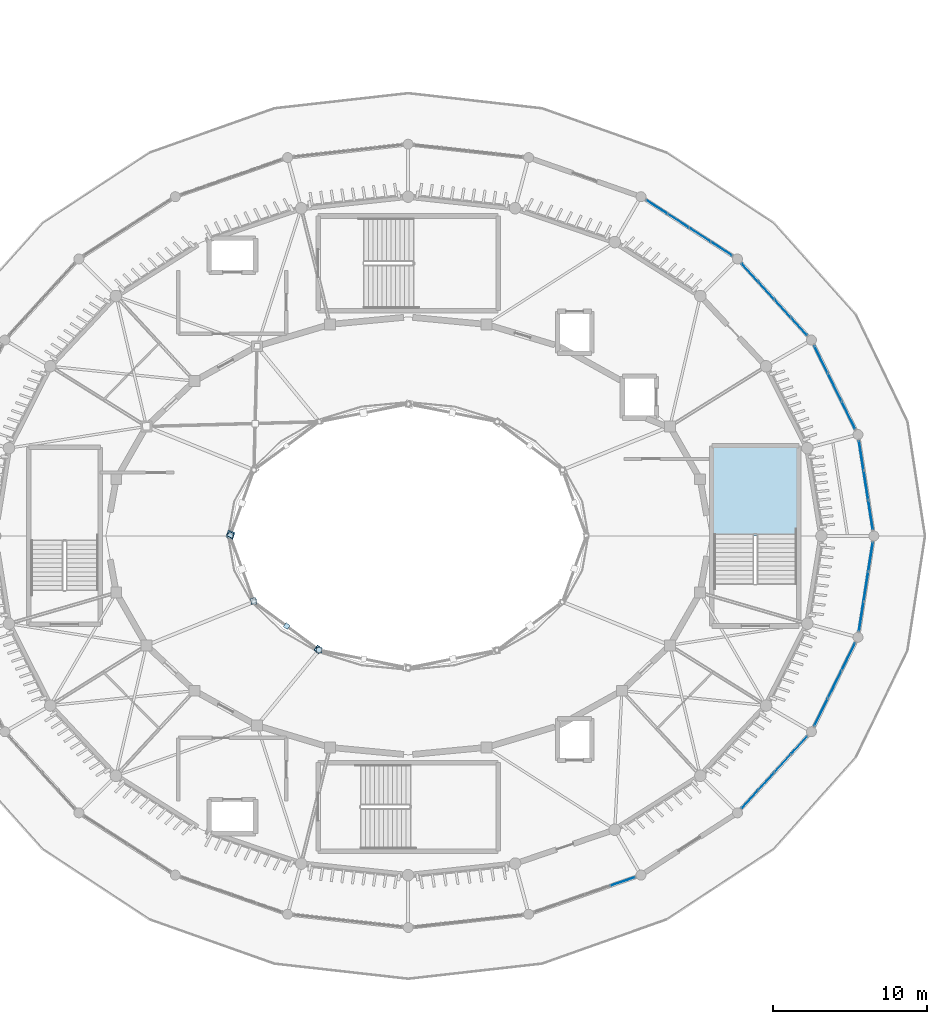
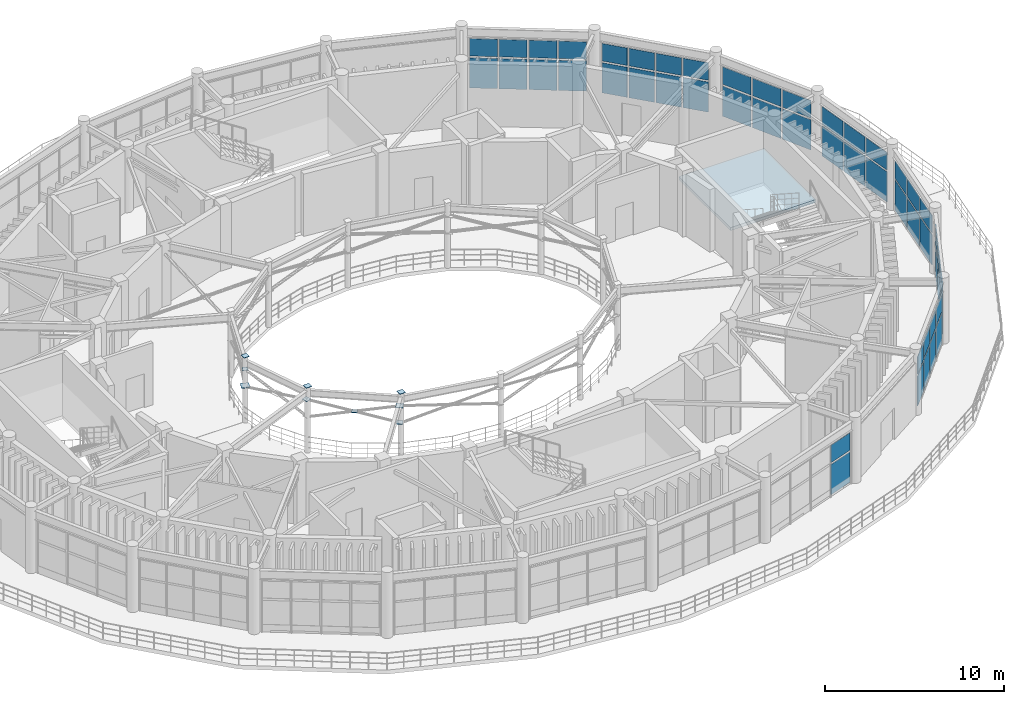
# One storey, part 22 of 45: 59 plates, 1 slab, 9 elements without a shape of their own.
"""IFC4 building model written with IfcOpenShell, lengths in metres."""

from ifc_helpers import new_model, si_unit, direction, frame, origin, origin_2d, place, context, subcontext, project, spatial, polyline, rectangle, outline, extrude, material, layer, layer_set, type_object, element, aggregate, save


model = new_model("IFC4")

# Units and contexts
model_context = context("Model", 3, precision=1e-05, world=origin(), true_north=direction((0.0, 1.0)))
body_context = subcontext(model_context, "Body", "Model", "MODEL_VIEW")
ifc_project = project(units=[si_unit("LENGTHUNIT", "METRE"), si_unit("AREAUNIT", "SQUARE_METRE"), si_unit("VOLUMEUNIT", "CUBIC_METRE"), si_unit("PLANEANGLEUNIT", "RADIAN"), si_unit("MASSUNIT", "GRAM", prefix="KILO")], contexts=[model_context])

# Site, building, storey
site_placement = place(None, origin())
site = spatial("IfcSite", under=ifc_project, at=site_placement, CompositionType="ELEMENT")
building_placement = place(site_placement, origin())
building = spatial("IfcBuilding", under=site, at=building_placement, Name="Cinderbank Siding Concert Hall", CompositionType="ELEMENT")
storey_placement = place(building_placement, frame((0.0, 0.0, 19.199951171875)))
storey = spatial("IfcBuildingStorey", under=building, at=storey_placement, Name="L05", CompositionType="ELEMENT", Elevation=19.199951171875)

# Curtain wall, plates
ifc_material_1 = material(Name="Anodised aluminium alloy 6063-T6", Category="aluminium")
curtain_wall_type_1 = type_object("IfcCurtainWallType", Name="CW-09 Unitised Acoustic Curtain Wall 8000x3500", PredefinedType="NOTDEFINED", material=ifc_material_1)
curtain_wall_1_placement = place(storey_placement, origin())
curtain_wall_1 = element("IfcCurtainWall", 1, at=curtain_wall_1_placement, inside=storey, type_object=curtain_wall_type_1, Name="L05 Curtain Wall CW-09 #72", PredefinedType="NOTDEFINED")
ifc_material_2 = material(Name="Double-glazed laminated acoustic glass", Category="glass")
ifc_layer_1 = layer(ifc_material_2, 0.035888671875)
ifc_layer_set_1 = layer_set([ifc_layer_1], Name="Double-glazed laminated acoustic glass")
plate_type_1 = type_object("IfcPlateType", Name="CP-01 Glazed Curtain Panel 1800x2200", PredefinedType="CURTAIN_PANEL", material=ifc_layer_set_1)
plate_1_placement = place(storey_placement, frame((151.98828125, 45.3525390625, 0.1201171875), z_axis=(0.0, 0.0, 1.0), x_axis=(-0.154642773708, 0.987970451248, 0.0)))
plate_1 = element("IfcPlate", 2, at=plate_1_placement, type_object=plate_type_1, Name="CW-L05-072 Glazed Panel 0-0", PredefinedType="CURTAIN_PANEL", context=body_context, shape_type="SweptSolid", body=[
    extrude(rectangle(XDim=1.85791015625, YDim=0.035888671875, at=origin_2d()), origin(), (0.0, 0.0, 1.0), 2.05810546875),
])
plate_2_placement = place(storey_placement, frame((151.98828125, 45.3525390625, 2.298095703125), z_axis=(0.0, 0.0, 1.0), x_axis=(-0.154642773708, 0.987970451248, 0.0)))
plate_2 = element("IfcPlate", 3, at=plate_2_placement, type_object=plate_type_1, Name="CW-L05-072 Glazed Panel 0-1", PredefinedType="CURTAIN_PANEL", context=body_context, shape_type="SweptSolid", body=[
    extrude(rectangle(XDim=1.85791015625, YDim=0.035888671875, at=origin_2d()), origin(), (0.0, 0.0, 1.0), 1.19189453125),
])
plate_3_placement = place(storey_placement, frame((151.685546875, 47.287109375, 0.1201171875), z_axis=(0.0, 0.0, 1.0), x_axis=(-0.154642773708, 0.987970451248, 0.0)))
plate_3 = element("IfcPlate", 4, at=plate_3_placement, type_object=plate_type_1, Name="CW-L05-072 Glazed Panel 1-0", PredefinedType="CURTAIN_PANEL", context=body_context, shape_type="SweptSolid", body=[
    extrude(rectangle(XDim=1.85791015625, YDim=0.035888671875, at=origin_2d()), origin(), (0.0, 0.0, 1.0), 2.05810546875),
])
plate_4_placement = place(storey_placement, frame((151.685546875, 47.287109375, 2.298095703125), z_axis=(0.0, 0.0, 1.0), x_axis=(-0.154642773708, 0.987970451248, 0.0)))
plate_4 = element("IfcPlate", 5, at=plate_4_placement, type_object=plate_type_1, Name="CW-L05-072 Glazed Panel 1-1", PredefinedType="CURTAIN_PANEL", context=body_context, shape_type="SweptSolid", body=[
    extrude(rectangle(XDim=1.85791015625, YDim=0.035888671875, at=origin_2d()), origin(), (0.0, 0.0, 1.0), 1.19189453125),
])
plate_5_placement = place(storey_placement, frame((151.3828125, 49.221435546875, 0.1201171875), z_axis=(0.0, 0.0, 1.0), x_axis=(-0.154642773708, 0.987970451248, 0.0)))
plate_5 = element("IfcPlate", 6, at=plate_5_placement, type_object=plate_type_1, Name="CW-L05-072 Glazed Panel 2-0", PredefinedType="CURTAIN_PANEL", context=body_context, shape_type="SweptSolid", body=[
    extrude(rectangle(XDim=1.85791015625, YDim=0.035888671875, at=origin_2d()), origin(), (0.0, 0.0, 1.0), 2.05810546875),
])
plate_6_placement = place(storey_placement, frame((151.3828125, 49.221435546875, 2.298095703125), z_axis=(0.0, 0.0, 1.0), x_axis=(-0.154642773708, 0.987970451248, 0.0)))
plate_6 = element("IfcPlate", 7, at=plate_6_placement, type_object=plate_type_1, Name="CW-L05-072 Glazed Panel 2-1", PredefinedType="CURTAIN_PANEL", context=body_context, shape_type="SweptSolid", body=[
    extrude(rectangle(XDim=1.85791015625, YDim=0.035888671875, at=origin_2d()), origin(), (0.0, 0.0, 1.0), 1.19189453125),
])
aggregate(curtain_wall_1, [plate_1, plate_2, plate_3, plate_4, plate_5, plate_6])

curtain_wall_type_2 = type_object("IfcCurtainWallType", Name="CW-10 Unitised Acoustic Curtain Wall 7200x3500", PredefinedType="NOTDEFINED", material=ifc_material_1)
curtain_wall_2_placement = place(storey_placement, origin())
curtain_wall_2 = element("IfcCurtainWall", 8, at=curtain_wall_2_placement, inside=storey, type_object=curtain_wall_type_2, Name="L05 Curtain Wall CW-10 #73", PredefinedType="NOTDEFINED")
ifc_layer_2 = layer(ifc_material_2, 0.035888671875)
ifc_layer_set_2 = layer_set([ifc_layer_2], Name="Double-glazed laminated acoustic glass")
plate_type_2 = type_object("IfcPlateType", Name="CP-02 Glazed Curtain Panel 1800x1900", PredefinedType="CURTAIN_PANEL", material=ifc_layer_set_2)
plate_7_placement = place(storey_placement, frame((150.55322265625, 51.828125, 0.1201171875), z_axis=(0.0, 0.0, 1.0), x_axis=(-0.441816401468, 0.897105494016, 0.0)))
plate_7 = element("IfcPlate", 9, at=plate_7_placement, type_object=plate_type_2, Name="CW-L05-073 Glazed Panel 0-0", PredefinedType="CURTAIN_PANEL", context=body_context, shape_type="SweptSolid", body=[
    extrude(rectangle(XDim=1.916259765625, YDim=0.035888671875, at=origin_2d()), origin(), (0.0, 0.0, 1.0), 2.05810546875),
])
plate_8_placement = place(storey_placement, frame((150.55322265625, 51.828125, 2.298095703125), z_axis=(0.0, 0.0, 1.0), x_axis=(-0.441816401468, 0.897105494016, 0.0)))
plate_8 = element("IfcPlate", 10, at=plate_8_placement, type_object=plate_type_2, Name="CW-L05-073 Glazed Panel 0-1", PredefinedType="CURTAIN_PANEL", context=body_context, shape_type="SweptSolid", body=[
    extrude(rectangle(XDim=1.916259765625, YDim=0.035888671875, at=origin_2d()), origin(), (0.0, 0.0, 1.0), 1.19189453125),
])
plate_9_placement = place(storey_placement, frame((149.66259765625, 53.636962890625, 0.1201171875), z_axis=(0.0, 0.0, 1.0), x_axis=(-0.441816401468, 0.897105494016, 0.0)))
plate_9 = element("IfcPlate", 11, at=plate_9_placement, type_object=plate_type_2, Name="CW-L05-073 Glazed Panel 1-0", PredefinedType="CURTAIN_PANEL", context=body_context, shape_type="SweptSolid", body=[
    extrude(rectangle(XDim=1.916259765625, YDim=0.035888671875, at=origin_2d()), origin(), (0.0, 0.0, 1.0), 2.05810546875),
])
plate_10_placement = place(storey_placement, frame((149.66259765625, 53.636962890625, 2.298095703125), z_axis=(0.0, 0.0, 1.0), x_axis=(-0.441816401468, 0.897105494016, 0.0)))
plate_10 = element("IfcPlate", 12, at=plate_10_placement, type_object=plate_type_2, Name="CW-L05-073 Glazed Panel 1-1", PredefinedType="CURTAIN_PANEL", context=body_context, shape_type="SweptSolid", body=[
    extrude(rectangle(XDim=1.916259765625, YDim=0.035888671875, at=origin_2d()), origin(), (0.0, 0.0, 1.0), 1.19189453125),
])
plate_11_placement = place(storey_placement, frame((148.771728515625, 55.44580078125, 0.1201171875), z_axis=(0.0, 0.0, 1.0), x_axis=(-0.441816401468, 0.897105494016, 0.0)))
plate_11 = element("IfcPlate", 13, at=plate_11_placement, type_object=plate_type_2, Name="CW-L05-073 Glazed Panel 2-0", PredefinedType="CURTAIN_PANEL", context=body_context, shape_type="SweptSolid", body=[
    extrude(rectangle(XDim=1.916259765625, YDim=0.035888671875, at=origin_2d()), origin(), (0.0, 0.0, 1.0), 2.05810546875),
])
plate_12_placement = place(storey_placement, frame((148.771728515625, 55.44580078125, 2.298095703125), z_axis=(0.0, 0.0, 1.0), x_axis=(-0.441816401468, 0.897105494016, 0.0)))
plate_12 = element("IfcPlate", 14, at=plate_12_placement, type_object=plate_type_2, Name="CW-L05-073 Glazed Panel 2-1", PredefinedType="CURTAIN_PANEL", context=body_context, shape_type="SweptSolid", body=[
    extrude(rectangle(XDim=1.916259765625, YDim=0.035888671875, at=origin_2d()), origin(), (0.0, 0.0, 1.0), 1.19189453125),
])
aggregate(curtain_wall_2, [plate_7, plate_8, plate_9, plate_10, plate_11, plate_12])

curtain_wall_type_3 = type_object("IfcCurtainWallType", Name="CW-12 Unitised Acoustic Curtain Wall 5800x3500", PredefinedType="NOTDEFINED", material=ifc_material_1)
curtain_wall_3_placement = place(storey_placement, origin())
curtain_wall_3 = element("IfcCurtainWall", 15, at=curtain_wall_3_placement, inside=storey, type_object=curtain_wall_type_3, Name="L05 Curtain Wall CW-12 #89", PredefinedType="NOTDEFINED")
plate_13_placement = place(storey_placement, frame((135.913330078125, 21.589599609375, 0.1201171875), z_axis=(0.0, 0.0, 1.0), x_axis=(0.944334191914, 0.328987741387, 0.0)))
plate_13 = element("IfcPlate", 16, at=plate_13_placement, type_object=plate_type_2, Name="CW-L05-089 Glazed Panel 3-0", PredefinedType="CURTAIN_PANEL", context=body_context, shape_type="SweptSolid", body=[
    extrude(rectangle(XDim=1.63330078125, YDim=0.035888671875, at=origin_2d()), origin(), (0.0, 0.0, 1.0), 2.05810546875),
])
plate_14_placement = place(storey_placement, frame((135.913330078125, 21.589599609375, 2.298095703125), z_axis=(0.0, 0.0, 1.0), x_axis=(0.944334191914, 0.328987741387, 0.0)))
plate_14 = element("IfcPlate", 17, at=plate_14_placement, type_object=plate_type_2, Name="CW-L05-089 Glazed Panel 3-1", PredefinedType="CURTAIN_PANEL", context=body_context, shape_type="SweptSolid", body=[
    extrude(rectangle(XDim=1.63330078125, YDim=0.035888671875, at=origin_2d()), origin(), (0.0, 0.0, 1.0), 1.19189453125),
])
aggregate(curtain_wall_3, [plate_13, plate_14])

curtain_wall_type_4 = type_object("IfcCurtainWallType", Name="CW-11 Unitised Acoustic Curtain Wall 6600x3500", PredefinedType="NOTDEFINED", material=ifc_material_1)
curtain_wall_4_placement = place(storey_placement, origin())
curtain_wall_4 = element("IfcCurtainWall", 18, at=curtain_wall_4_placement, inside=storey, type_object=curtain_wall_type_4, Name="L05 Curtain Wall CW-11 #74", PredefinedType="NOTDEFINED")
ifc_layer_3 = layer(ifc_material_2, 0.035888671875)
ifc_layer_set_3 = layer_set([ifc_layer_3], Name="Double-glazed laminated acoustic glass")
plate_type_3 = type_object("IfcPlateType", Name="CP-03 Glazed Curtain Panel 1600x2100", PredefinedType="CURTAIN_PANEL", material=ifc_layer_set_3)
plate_15_placement = place(storey_placement, frame((147.35693359375, 57.573486328125, 0.1201171875), z_axis=(0.0, 0.0, 1.0), x_axis=(-0.673988610863, 0.738741735945, 0.0)))
plate_15 = element("IfcPlate", 19, at=plate_15_placement, type_object=plate_type_3, Name="CW-L05-074 Glazed Panel 0-0", PredefinedType="CURTAIN_PANEL", context=body_context, shape_type="SweptSolid", body=[
    extrude(rectangle(XDim=1.485107421875, YDim=0.035888671875, at=origin_2d()), origin(), (0.0, 0.0, 1.0), 2.05810546875),
])
plate_16_placement = place(storey_placement, frame((147.35693359375, 57.573486328125, 2.298095703125), z_axis=(0.0, 0.0, 1.0), x_axis=(-0.673988610863, 0.738741735945, 0.0)))
plate_16 = element("IfcPlate", 20, at=plate_16_placement, type_object=plate_type_3, Name="CW-L05-074 Glazed Panel 0-1", PredefinedType="CURTAIN_PANEL", context=body_context, shape_type="SweptSolid", body=[
    extrude(rectangle(XDim=1.485107421875, YDim=0.035888671875, at=origin_2d()), origin(), (0.0, 0.0, 1.0), 1.19189453125),
])
plate_17_placement = place(storey_placement, frame((146.28857421875, 58.74462890625, 0.1201171875), z_axis=(0.0, 0.0, 1.0), x_axis=(-0.673988610863, 0.738741735945, 0.0)))
plate_17 = element("IfcPlate", 21, at=plate_17_placement, type_object=plate_type_3, Name="CW-L05-074 Glazed Panel 1-0", PredefinedType="CURTAIN_PANEL", context=body_context, shape_type="SweptSolid", body=[
    extrude(rectangle(XDim=1.485107421875, YDim=0.035888671875, at=origin_2d()), origin(), (0.0, 0.0, 1.0), 2.05810546875),
])
plate_18_placement = place(storey_placement, frame((146.28857421875, 58.74462890625, 2.298095703125), z_axis=(0.0, 0.0, 1.0), x_axis=(-0.673988610863, 0.738741735945, 0.0)))
plate_18 = element("IfcPlate", 22, at=plate_18_placement, type_object=plate_type_3, Name="CW-L05-074 Glazed Panel 1-1", PredefinedType="CURTAIN_PANEL", context=body_context, shape_type="SweptSolid", body=[
    extrude(rectangle(XDim=1.485107421875, YDim=0.035888671875, at=origin_2d()), origin(), (0.0, 0.0, 1.0), 1.19189453125),
])
plate_19_placement = place(storey_placement, frame((145.22021484375, 59.915771484375, 0.1201171875), z_axis=(0.0, 0.0, 1.0), x_axis=(-0.673988610863, 0.738741735945, 0.0)))
plate_19 = element("IfcPlate", 23, at=plate_19_placement, type_object=plate_type_3, Name="CW-L05-074 Glazed Panel 2-0", PredefinedType="CURTAIN_PANEL", context=body_context, shape_type="SweptSolid", body=[
    extrude(rectangle(XDim=1.485107421875, YDim=0.035888671875, at=origin_2d()), origin(), (0.0, 0.0, 1.0), 2.05810546875),
])
plate_20_placement = place(storey_placement, frame((145.22021484375, 59.915771484375, 2.298095703125), z_axis=(0.0, 0.0, 1.0), x_axis=(-0.673988610863, 0.738741735945, 0.0)))
plate_20 = element("IfcPlate", 24, at=plate_20_placement, type_object=plate_type_3, Name="CW-L05-074 Glazed Panel 2-1", PredefinedType="CURTAIN_PANEL", context=body_context, shape_type="SweptSolid", body=[
    extrude(rectangle(XDim=1.485107421875, YDim=0.035888671875, at=origin_2d()), origin(), (0.0, 0.0, 1.0), 1.19189453125),
])
plate_21_placement = place(storey_placement, frame((144.151611328125, 61.0869140625, 0.1201171875), z_axis=(0.0, 0.0, 1.0), x_axis=(-0.673988610863, 0.738741735945, 0.0)))
plate_21 = element("IfcPlate", 25, at=plate_21_placement, type_object=plate_type_3, Name="CW-L05-074 Glazed Panel 3-0", PredefinedType="CURTAIN_PANEL", context=body_context, shape_type="SweptSolid", body=[
    extrude(rectangle(XDim=1.485107421875, YDim=0.035888671875, at=origin_2d()), origin(), (0.0, 0.0, 1.0), 2.05810546875),
])
plate_22_placement = place(storey_placement, frame((144.151611328125, 61.0869140625, 2.298095703125), z_axis=(0.0, 0.0, 1.0), x_axis=(-0.673988610863, 0.738741735945, 0.0)))
plate_22 = element("IfcPlate", 26, at=plate_22_placement, type_object=plate_type_3, Name="CW-L05-074 Glazed Panel 3-1", PredefinedType="CURTAIN_PANEL", context=body_context, shape_type="SweptSolid", body=[
    extrude(rectangle(XDim=1.485107421875, YDim=0.035888671875, at=origin_2d()), origin(), (0.0, 0.0, 1.0), 1.19189453125),
])
aggregate(curtain_wall_4, [plate_15, plate_16, plate_17, plate_18, plate_19, plate_20, plate_21, plate_22])

curtain_wall_5_placement = place(storey_placement, origin())
curtain_wall_5 = element("IfcCurtainWall", 27, at=curtain_wall_5_placement, inside=storey, type_object=curtain_wall_type_2, Name="L05 Curtain Wall CW-10 #90", PredefinedType="NOTDEFINED")
plate_23_placement = place(storey_placement, frame((144.151611328125, 26.9130859375, 0.1201171875), z_axis=(0.0, 0.0, 1.0), x_axis=(0.673988610863, 0.738741735945, 0.0)))
plate_23 = element("IfcPlate", 28, at=plate_23_placement, type_object=plate_type_3, Name="CW-L05-090 Glazed Panel 0-0", PredefinedType="CURTAIN_PANEL", context=body_context, shape_type="SweptSolid", body=[
    extrude(rectangle(XDim=1.485107421875, YDim=0.035888671875, at=origin_2d()), origin(), (0.0, 0.0, 1.0), 2.05810546875),
])
plate_24_placement = place(storey_placement, frame((144.151611328125, 26.9130859375, 2.298095703125), z_axis=(0.0, 0.0, 1.0), x_axis=(0.673988610863, 0.738741735945, 0.0)))
plate_24 = element("IfcPlate", 29, at=plate_24_placement, type_object=plate_type_3, Name="CW-L05-090 Glazed Panel 0-1", PredefinedType="CURTAIN_PANEL", context=body_context, shape_type="SweptSolid", body=[
    extrude(rectangle(XDim=1.485107421875, YDim=0.035888671875, at=origin_2d()), origin(), (0.0, 0.0, 1.0), 1.19189453125),
])
plate_25_placement = place(storey_placement, frame((145.22021484375, 28.084228515625, 0.1201171875), z_axis=(0.0, 0.0, 1.0), x_axis=(0.673988610863, 0.738741735945, 0.0)))
plate_25 = element("IfcPlate", 30, at=plate_25_placement, type_object=plate_type_3, Name="CW-L05-090 Glazed Panel 1-0", PredefinedType="CURTAIN_PANEL", context=body_context, shape_type="SweptSolid", body=[
    extrude(rectangle(XDim=1.485107421875, YDim=0.035888671875, at=origin_2d()), origin(), (0.0, 0.0, 1.0), 2.05810546875),
])
plate_26_placement = place(storey_placement, frame((145.22021484375, 28.084228515625, 2.298095703125), z_axis=(0.0, 0.0, 1.0), x_axis=(0.673988610863, 0.738741735945, 0.0)))
plate_26 = element("IfcPlate", 31, at=plate_26_placement, type_object=plate_type_3, Name="CW-L05-090 Glazed Panel 1-1", PredefinedType="CURTAIN_PANEL", context=body_context, shape_type="SweptSolid", body=[
    extrude(rectangle(XDim=1.485107421875, YDim=0.035888671875, at=origin_2d()), origin(), (0.0, 0.0, 1.0), 1.19189453125),
])
plate_27_placement = place(storey_placement, frame((146.28857421875, 29.25537109375, 0.1201171875), z_axis=(0.0, 0.0, 1.0), x_axis=(0.673988610863, 0.738741735945, 0.0)))
plate_27 = element("IfcPlate", 32, at=plate_27_placement, type_object=plate_type_3, Name="CW-L05-090 Glazed Panel 2-0", PredefinedType="CURTAIN_PANEL", context=body_context, shape_type="SweptSolid", body=[
    extrude(rectangle(XDim=1.485107421875, YDim=0.035888671875, at=origin_2d()), origin(), (0.0, 0.0, 1.0), 2.05810546875),
])
plate_28_placement = place(storey_placement, frame((146.28857421875, 29.25537109375, 2.298095703125), z_axis=(0.0, 0.0, 1.0), x_axis=(0.673988610863, 0.738741735945, 0.0)))
plate_28 = element("IfcPlate", 33, at=plate_28_placement, type_object=plate_type_3, Name="CW-L05-090 Glazed Panel 2-1", PredefinedType="CURTAIN_PANEL", context=body_context, shape_type="SweptSolid", body=[
    extrude(rectangle(XDim=1.485107421875, YDim=0.035888671875, at=origin_2d()), origin(), (0.0, 0.0, 1.0), 1.19189453125),
])
plate_29_placement = place(storey_placement, frame((147.35693359375, 30.426513671875, 0.1201171875), z_axis=(0.0, 0.0, 1.0), x_axis=(0.673988610863, 0.738741735945, 0.0)))
plate_29 = element("IfcPlate", 34, at=plate_29_placement, type_object=plate_type_3, Name="CW-L05-090 Glazed Panel 3-0", PredefinedType="CURTAIN_PANEL", context=body_context, shape_type="SweptSolid", body=[
    extrude(rectangle(XDim=1.485107421875, YDim=0.035888671875, at=origin_2d()), origin(), (0.0, 0.0, 1.0), 2.05810546875),
])
plate_30_placement = place(storey_placement, frame((147.35693359375, 30.426513671875, 2.298095703125), z_axis=(0.0, 0.0, 1.0), x_axis=(0.673988610863, 0.738741735945, 0.0)))
plate_30 = element("IfcPlate", 35, at=plate_30_placement, type_object=plate_type_3, Name="CW-L05-090 Glazed Panel 3-1", PredefinedType="CURTAIN_PANEL", context=body_context, shape_type="SweptSolid", body=[
    extrude(rectangle(XDim=1.485107421875, YDim=0.035888671875, at=origin_2d()), origin(), (0.0, 0.0, 1.0), 1.19189453125),
])
aggregate(curtain_wall_5, [plate_23, plate_24, plate_25, plate_26, plate_27, plate_28, plate_29, plate_30])

curtain_wall_6_placement = place(storey_placement, origin())
curtain_wall_6 = element("IfcCurtainWall", 36, at=curtain_wall_6_placement, inside=storey, type_object=curtain_wall_type_3, Name="L05 Curtain Wall CW-12 #75", PredefinedType="NOTDEFINED")
ifc_layer_4 = layer(ifc_material_2, 0.031982421875)
ifc_layer_set_4 = layer_set([ifc_layer_4], Name="Double-glazed laminated acoustic glass")
plate_type_4 = type_object("IfcPlateType", Name="CP-04 Glazed Curtain Panel 1400x2000", PredefinedType="CURTAIN_PANEL", material=ifc_layer_set_4)
plate_31_placement = place(storey_placement, frame((142.326904296875, 62.623779296875, 0.1201171875), z_axis=(0.0, 0.0, 1.0), x_axis=(-0.840218663385, 0.542247727243, 0.0)))
plate_31 = element("IfcPlate", 37, at=plate_31_placement, type_object=plate_type_4, Name="CW-L05-075 Glazed Panel 0-0", PredefinedType="CURTAIN_PANEL", context=body_context, shape_type="SweptSolid", body=[
    extrude(rectangle(XDim=1.56591796875, YDim=0.035888671875, at=origin_2d()), origin(), (0.0, 0.0, 1.0), 2.05810546875),
])
plate_32_placement = place(storey_placement, frame((142.326904296875, 62.623779296875, 2.298095703125), z_axis=(0.0, 0.0, 1.0), x_axis=(-0.840218663385, 0.542247727243, 0.0)))
plate_32 = element("IfcPlate", 38, at=plate_32_placement, type_object=plate_type_4, Name="CW-L05-075 Glazed Panel 0-1", PredefinedType="CURTAIN_PANEL", context=body_context, shape_type="SweptSolid", body=[
    extrude(rectangle(XDim=1.56591796875, YDim=0.035888671875, at=origin_2d()), origin(), (0.0, 0.0, 1.0), 1.19189453125),
])
plate_33_placement = place(storey_placement, frame((140.92724609375, 63.527099609375, 0.1201171875), z_axis=(0.0, 0.0, 1.0), x_axis=(-0.840218663385, 0.542247727243, 0.0)))
plate_33 = element("IfcPlate", 39, at=plate_33_placement, type_object=plate_type_4, Name="CW-L05-075 Glazed Panel 1-0", PredefinedType="CURTAIN_PANEL", context=body_context, shape_type="SweptSolid", body=[
    extrude(rectangle(XDim=1.56591796875, YDim=0.035888671875, at=origin_2d()), origin(), (0.0, 0.0, 1.0), 2.05810546875),
])
plate_34_placement = place(storey_placement, frame((140.92724609375, 63.527099609375, 2.298095703125), z_axis=(0.0, 0.0, 1.0), x_axis=(-0.840218663385, 0.542247727243, 0.0)))
plate_34 = element("IfcPlate", 40, at=plate_34_placement, type_object=plate_type_4, Name="CW-L05-075 Glazed Panel 1-1", PredefinedType="CURTAIN_PANEL", context=body_context, shape_type="SweptSolid", body=[
    extrude(rectangle(XDim=1.56591796875, YDim=0.035888671875, at=origin_2d()), origin(), (0.0, 0.0, 1.0), 1.19189453125),
])
plate_35_placement = place(storey_placement, frame((139.52734375, 64.430419921875, 0.1201171875), z_axis=(0.0, 0.0, 1.0), x_axis=(-0.840218663385, 0.542247727243, 0.0)))
plate_35 = element("IfcPlate", 41, at=plate_35_placement, type_object=plate_type_4, Name="CW-L05-075 Glazed Panel 2-0", PredefinedType="CURTAIN_PANEL", context=body_context, shape_type="SweptSolid", body=[
    extrude(rectangle(XDim=1.56591796875, YDim=0.035888671875, at=origin_2d()), origin(), (0.0, 0.0, 1.0), 2.05810546875),
])
plate_36_placement = place(storey_placement, frame((139.52734375, 64.430419921875, 2.298095703125), z_axis=(0.0, 0.0, 1.0), x_axis=(-0.840218663385, 0.542247727243, 0.0)))
plate_36 = element("IfcPlate", 42, at=plate_36_placement, type_object=plate_type_4, Name="CW-L05-075 Glazed Panel 2-1", PredefinedType="CURTAIN_PANEL", context=body_context, shape_type="SweptSolid", body=[
    extrude(rectangle(XDim=1.56591796875, YDim=0.035888671875, at=origin_2d()), origin(), (0.0, 0.0, 1.0), 1.19189453125),
])
plate_37_placement = place(storey_placement, frame((138.127685546875, 65.333740234375, 0.1201171875), z_axis=(0.0, 0.0, 1.0), x_axis=(-0.840218663385, 0.542247727243, 0.0)))
plate_37 = element("IfcPlate", 43, at=plate_37_placement, type_object=plate_type_4, Name="CW-L05-075 Glazed Panel 3-0", PredefinedType="CURTAIN_PANEL", context=body_context, shape_type="SweptSolid", body=[
    extrude(rectangle(XDim=1.56591796875, YDim=0.035888671875, at=origin_2d()), origin(), (0.0, 0.0, 1.0), 2.05810546875),
])
plate_38_placement = place(storey_placement, frame((138.127685546875, 65.333740234375, 2.298095703125), z_axis=(0.0, 0.0, 1.0), x_axis=(-0.840218663385, 0.542247727243, 0.0)))
plate_38 = element("IfcPlate", 44, at=plate_38_placement, type_object=plate_type_4, Name="CW-L05-075 Glazed Panel 3-1", PredefinedType="CURTAIN_PANEL", context=body_context, shape_type="SweptSolid", body=[
    extrude(rectangle(XDim=1.56591796875, YDim=0.035888671875, at=origin_2d()), origin(), (0.0, 0.0, 1.0), 1.19189453125),
])
aggregate(curtain_wall_6, [plate_31, plate_32, plate_33, plate_34, plate_35, plate_36, plate_37, plate_38])

curtain_wall_7_placement = place(storey_placement, origin())
curtain_wall_7 = element("IfcCurtainWall", 45, at=curtain_wall_7_placement, inside=storey, type_object=curtain_wall_type_4, Name="L05 Curtain Wall CW-11 #91", PredefinedType="NOTDEFINED")
plate_39_placement = place(storey_placement, frame((148.771728515625, 32.55419921875, 0.1201171875), z_axis=(0.0, 0.0, 1.0), x_axis=(0.441816401468, 0.897105494016, 0.0)))
plate_39 = element("IfcPlate", 46, at=plate_39_placement, type_object=plate_type_4, Name="CW-L05-091 Glazed Panel 0-0", PredefinedType="CURTAIN_PANEL", context=body_context, shape_type="SweptSolid", body=[
    extrude(rectangle(XDim=1.916259765625, YDim=0.035888671875, at=origin_2d()), origin(), (0.0, 0.0, 1.0), 2.05810546875),
])
plate_40_placement = place(storey_placement, frame((148.771728515625, 32.55419921875, 2.298095703125), z_axis=(0.0, 0.0, 1.0), x_axis=(0.441816401468, 0.897105494016, 0.0)))
plate_40 = element("IfcPlate", 47, at=plate_40_placement, type_object=plate_type_4, Name="CW-L05-091 Glazed Panel 0-1", PredefinedType="CURTAIN_PANEL", context=body_context, shape_type="SweptSolid", body=[
    extrude(rectangle(XDim=1.916259765625, YDim=0.035888671875, at=origin_2d()), origin(), (0.0, 0.0, 1.0), 1.19189453125),
])
plate_41_placement = place(storey_placement, frame((149.66259765625, 34.363037109375, 0.1201171875), z_axis=(0.0, 0.0, 1.0), x_axis=(0.441816401468, 0.897105494016, 0.0)))
plate_41 = element("IfcPlate", 48, at=plate_41_placement, type_object=plate_type_4, Name="CW-L05-091 Glazed Panel 1-0", PredefinedType="CURTAIN_PANEL", context=body_context, shape_type="SweptSolid", body=[
    extrude(rectangle(XDim=1.916259765625, YDim=0.035888671875, at=origin_2d()), origin(), (0.0, 0.0, 1.0), 2.05810546875),
])
plate_42_placement = place(storey_placement, frame((149.66259765625, 34.363037109375, 2.298095703125), z_axis=(0.0, 0.0, 1.0), x_axis=(0.441816401468, 0.897105494016, 0.0)))
plate_42 = element("IfcPlate", 49, at=plate_42_placement, type_object=plate_type_4, Name="CW-L05-091 Glazed Panel 1-1", PredefinedType="CURTAIN_PANEL", context=body_context, shape_type="SweptSolid", body=[
    extrude(rectangle(XDim=1.916259765625, YDim=0.035888671875, at=origin_2d()), origin(), (0.0, 0.0, 1.0), 1.19189453125),
])
plate_43_placement = place(storey_placement, frame((150.55322265625, 36.171875, 0.1201171875), z_axis=(0.0, 0.0, 1.0), x_axis=(0.441816401468, 0.897105494016, 0.0)))
plate_43 = element("IfcPlate", 50, at=plate_43_placement, type_object=plate_type_4, Name="CW-L05-091 Glazed Panel 2-0", PredefinedType="CURTAIN_PANEL", context=body_context, shape_type="SweptSolid", body=[
    extrude(rectangle(XDim=1.916259765625, YDim=0.035888671875, at=origin_2d()), origin(), (0.0, 0.0, 1.0), 2.05810546875),
])
plate_44_placement = place(storey_placement, frame((150.55322265625, 36.171875, 2.298095703125), z_axis=(0.0, 0.0, 1.0), x_axis=(0.441816401468, 0.897105494016, 0.0)))
plate_44 = element("IfcPlate", 51, at=plate_44_placement, type_object=plate_type_4, Name="CW-L05-091 Glazed Panel 2-1", PredefinedType="CURTAIN_PANEL", context=body_context, shape_type="SweptSolid", body=[
    extrude(rectangle(XDim=1.916259765625, YDim=0.035888671875, at=origin_2d()), origin(), (0.0, 0.0, 1.0), 1.19189453125),
])
aggregate(curtain_wall_7, [plate_39, plate_40, plate_41, plate_42, plate_43, plate_44])

curtain_wall_8_placement = place(storey_placement, origin())
curtain_wall_8 = element("IfcCurtainWall", 52, at=curtain_wall_8_placement, inside=storey, type_object=curtain_wall_type_3, Name="L05 Curtain Wall CW-12 #92", PredefinedType="NOTDEFINED")
ifc_layer_5 = layer(ifc_material_2, 0.031982421875)
ifc_layer_set_5 = layer_set([ifc_layer_5], Name="Double-glazed laminated acoustic glass")
plate_type_5 = type_object("IfcPlateType", Name="CP-05 Glazed Curtain Panel 1200x1800", PredefinedType="CURTAIN_PANEL", material=ifc_layer_set_5)
plate_45_placement = place(storey_placement, frame((151.3828125, 38.778564453125, 0.1201171875), z_axis=(0.0, 0.0, 1.0), x_axis=(0.154642773708, 0.987970451248, 0.0)))
plate_45 = element("IfcPlate", 53, at=plate_45_placement, type_object=plate_type_5, Name="CW-L05-092 Glazed Panel 0-0", PredefinedType="CURTAIN_PANEL", context=body_context, shape_type="SweptSolid", body=[
    extrude(rectangle(XDim=1.85791015625, YDim=0.035888671875, at=origin_2d()), origin(), (0.0, 0.0, 1.0), 2.05810546875),
])
plate_46_placement = place(storey_placement, frame((151.3828125, 38.778564453125, 2.298095703125), z_axis=(0.0, 0.0, 1.0), x_axis=(0.154642773708, 0.987970451248, 0.0)))
plate_46 = element("IfcPlate", 54, at=plate_46_placement, type_object=plate_type_5, Name="CW-L05-092 Glazed Panel 0-1", PredefinedType="CURTAIN_PANEL", context=body_context, shape_type="SweptSolid", body=[
    extrude(rectangle(XDim=1.85791015625, YDim=0.035888671875, at=origin_2d()), origin(), (0.0, 0.0, 1.0), 1.19189453125),
])
plate_47_placement = place(storey_placement, frame((151.685546875, 40.712890625, 0.1201171875), z_axis=(0.0, 0.0, 1.0), x_axis=(0.154642773708, 0.987970451248, 0.0)))
plate_47 = element("IfcPlate", 55, at=plate_47_placement, type_object=plate_type_5, Name="CW-L05-092 Glazed Panel 1-0", PredefinedType="CURTAIN_PANEL", context=body_context, shape_type="SweptSolid", body=[
    extrude(rectangle(XDim=1.85791015625, YDim=0.035888671875, at=origin_2d()), origin(), (0.0, 0.0, 1.0), 2.05810546875),
])
plate_48_placement = place(storey_placement, frame((151.685546875, 40.712890625, 2.298095703125), z_axis=(0.0, 0.0, 1.0), x_axis=(0.154642773708, 0.987970451248, 0.0)))
plate_48 = element("IfcPlate", 56, at=plate_48_placement, type_object=plate_type_5, Name="CW-L05-092 Glazed Panel 1-1", PredefinedType="CURTAIN_PANEL", context=body_context, shape_type="SweptSolid", body=[
    extrude(rectangle(XDim=1.85791015625, YDim=0.035888671875, at=origin_2d()), origin(), (0.0, 0.0, 1.0), 1.19189453125),
])
plate_49_placement = place(storey_placement, frame((151.98828125, 42.6474609375, 0.1201171875), z_axis=(0.0, 0.0, 1.0), x_axis=(0.154642773708, 0.987970451248, 0.0)))
plate_49 = element("IfcPlate", 57, at=plate_49_placement, type_object=plate_type_5, Name="CW-L05-092 Glazed Panel 2-0", PredefinedType="CURTAIN_PANEL", context=body_context, shape_type="SweptSolid", body=[
    extrude(rectangle(XDim=1.85791015625, YDim=0.035888671875, at=origin_2d()), origin(), (0.0, 0.0, 1.0), 2.05810546875),
])
plate_50_placement = place(storey_placement, frame((151.98828125, 42.6474609375, 2.298095703125), z_axis=(0.0, 0.0, 1.0), x_axis=(0.154642773708, 0.987970451248, 0.0)))
plate_50 = element("IfcPlate", 58, at=plate_50_placement, type_object=plate_type_5, Name="CW-L05-092 Glazed Panel 2-1", PredefinedType="CURTAIN_PANEL", context=body_context, shape_type="SweptSolid", body=[
    extrude(rectangle(XDim=1.85791015625, YDim=0.035888671875, at=origin_2d()), origin(), (0.0, 0.0, 1.0), 1.19189453125),
])
aggregate(curtain_wall_8, [plate_45, plate_46, plate_47, plate_48, plate_49, plate_50])

# Plates
ifc_material_3 = material(Name="Structural steel welded plate section AS/NZS 3679.2 / AS/NZS 3678 Grade 350 (340 MPa)", Category="steel")
ifc_layer_6 = layer(ifc_material_3, 0.02490234375)
ifc_layer_set_6 = layer_set([ifc_layer_6], Name="Structural steel welded plate section AS/NZS 3679.2 / AS/NZS 3678 Grade 350 (340 MPa)")
plate_type_6 = type_object("IfcPlateType", Name="GP-01 Steel Gusset Cap Plate 480x480x25", PredefinedType="SHEET", material=ifc_layer_set_6)
plate_51_placement = place(storey_placement, frame((110.477294921875, 44.0751953125, 2.3876953125), z_axis=(0.0, 0.0, 1.0), x_axis=(0.340379550213, 0.94028812701, 0.0)))
element("IfcPlate", 59, at=plate_51_placement, inside=storey, type_object=plate_type_6, Name="L05 Steel Node Gusset Plate GP-01 #1252", PredefinedType="SHEET", context=body_context, shape_type="SweptSolid", body=[
    extrude(rectangle(XDim=0.47998046875, YDim=0.47998046875, at=origin_2d()), origin(), (0.0, 0.0, 1.0), 0.02490234375),
])
ifc_layer_7 = layer(ifc_material_3, 0.02197265625)
ifc_layer_set_7 = layer_set([ifc_layer_7], Name="Structural steel welded plate section AS/NZS 3679.2 / AS/NZS 3678 Grade 350 (340 MPa)")
plate_type_7 = type_object("IfcPlateType", Name="GP-02 Steel Gusset Cap Plate 420x420x22", PredefinedType="SHEET", material=ifc_layer_set_7)
plate_52_placement = place(storey_placement, frame((116.16064453125, 36.64306640625, 3.529052734375), z_axis=(0.0, 0.0, 1.0), x_axis=(0.803753032213, -0.59496307718, 0.0)))
element("IfcPlate", 60, at=plate_52_placement, inside=storey, type_object=plate_type_7, Name="L05 Steel Node Gusset Plate GP-02 #1257", PredefinedType="SHEET", context=body_context, shape_type="SweptSolid", body=[
    extrude(rectangle(XDim=0.419921875, YDim=0.419921875, at=origin_2d()), origin(), (0.0, 0.0, 1.0), 0.02197265625),
])
ifc_layer_8 = layer(ifc_material_3, 0.02001953125)
ifc_layer_set_8 = layer_set([ifc_layer_8], Name="Structural steel welded plate section AS/NZS 3679.2 / AS/NZS 3678 Grade 350 (340 MPa)")
plate_type_8 = type_object("IfcPlateType", Name="GP-03 Steel Gusset Cap Plate 360x360x20", PredefinedType="SHEET", material=ifc_layer_set_8)
for number, where, z_axis, x_axis, name in (
    (61, (110.449951171875, 44.0, 4.47998046875), (0.0, 0.0, 1.0), (1.0, 0.0, 0.0), "L05 Column End Cap Plate GP-03 COL-E0-13-L05"),
    (62, (111.9970703125, 39.72509765625, 4.47998046875), (0.0, 0.0, 1.0), (1.0, 0.0, 0.0), "L05 Column End Cap Plate GP-03 COL-E0-15-L05"),
    (63, (116.22509765625, 36.595947265625, 4.47998046875), (0.0, 0.0, 1.0), (1.0, 0.0, 0.0), "L05 Column End Cap Plate GP-03 COL-E0-17-L05"),
    (64, (111.97021484375, 39.80029296875, 3.530029296875), (0.0, 0.0, 1.0), (0.340379550213, -0.94028812701, 0.0), "L05 Steel Node Gusset Plate GP-03 #1254"),
    (65, (116.16064453125, 36.64306640625, 2.39013671875), (0.0, 0.0, 1.0), (-0.803753032213, 0.59496307718, 0.0), "L05 Steel Node Gusset Plate GP-03 #1258"),
):
    element("IfcPlate", number, at=place(storey_placement, frame(where, z_axis=z_axis, x_axis=x_axis)), inside=storey, type_object=plate_type_8, Name=name, PredefinedType="SHEET", context=body_context, shape_type="SweptSolid", body=[
        extrude(rectangle(XDim=0.360107421875, YDim=0.360107421875, at=origin_2d()), origin(), (0.0, 0.0, 1.0), 0.02001953125),
    ])
ifc_layer_9 = layer(ifc_material_3, 0.02099609375)
ifc_layer_set_9 = layer_set([ifc_layer_9], Name="Structural steel welded plate section AS/NZS 3679.2 / AS/NZS 3678 Grade 350 (340 MPa)")
plate_type_9 = type_object("IfcPlateType", Name="GP-04 Steel Gusset Cap Plate 320x320x21", PredefinedType="SHEET", material=ifc_layer_set_9)
for number, where, z_axis, x_axis, name in (
    (66, (110.477294921875, 44.0751953125, 3.529541015625), (0.0, 0.0, 1.0), (-0.340379550213, -0.94028812701, 0.0), "L05 Steel Node Gusset Plate GP-04 #1251"),
    (67, (114.123046875, 38.151611328125, 2.956298828125), (0.0, 0.0, 1.0), (-0.803753032213, 0.59496307718, 0.0), "L05 Steel Node Gusset Plate GP-04 #1259"),
):
    element("IfcPlate", number, at=place(storey_placement, frame(where, z_axis=z_axis, x_axis=x_axis)), inside=storey, type_object=plate_type_9, Name=name, PredefinedType="SHEET", context=body_context, shape_type="SweptSolid", body=[
        extrude(rectangle(XDim=0.320068359375, YDim=0.320068359375, at=origin_2d()), origin(), (0.0, 0.0, 1.0), 0.02099609375),
    ])

# Stair, slab
ifc_material_4 = material(Name="Reinforced concrete AS 3600 N50 (50 MPa)", Category="concrete")
stair_type = type_object("IfcStairType", Name="STR-B Dogleg Exit Stair 2600mm", PredefinedType="HALF_TURN_STAIR", material=ifc_material_4)
stair_placement = place(storey_placement, origin())
stair = element("IfcStair", 68, at=stair_placement, inside=storey, type_object=stair_type, Name="L05 Fire-isolated Exit Stair ST-03", PredefinedType="HALF_TURN_STAIR")
ifc_layer_10 = layer(ifc_material_4, 0.199951171875)
ifc_layer_set_10 = layer_set([ifc_layer_10], Name="Reinforced concrete AS 3600 N50 (50 MPa)")
slab_type = type_object("IfcSlabType", Name="LD-02 Slab 200mm", PredefinedType="LANDING", material=ifc_layer_set_10)
slab_placement = place(storey_placement, frame((0.0, 0.0, 2.050048828125)))
slab = element("IfcSlab", 69, at=slab_placement, type_object=slab_type, Name="ST-03 landing 1", PredefinedType="LANDING", context=body_context, shape_type="SweptSolid", body=[
    extrude(outline(polyline([(147.280029296875, 44.010009765625), (141.760009765625, 44.010009765625), (141.760009765625, 49.780029296875), (147.280029296875, 49.780029296875), (147.280029296875, 44.010009765625)])), origin(), (0.0, 0.0, 1.0), 0.199951171875),
])
aggregate(stair, [slab])

save(model, "model.ifc")
